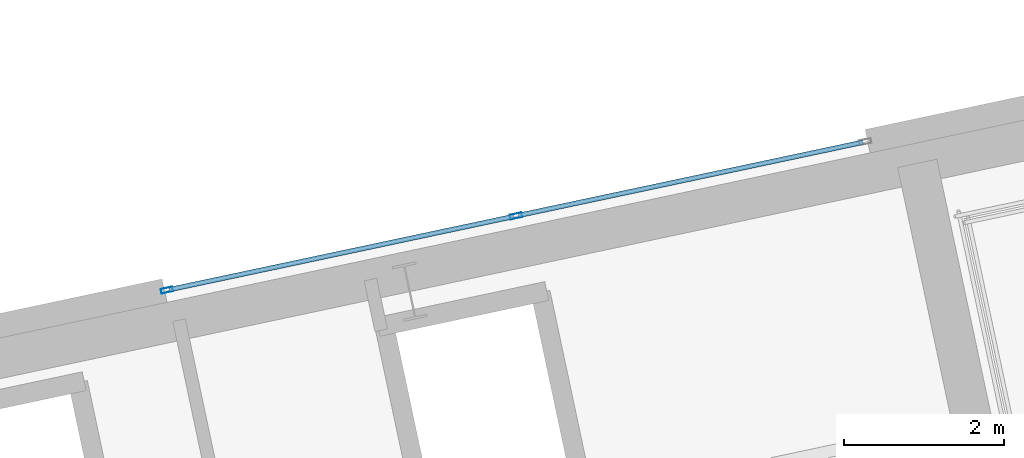
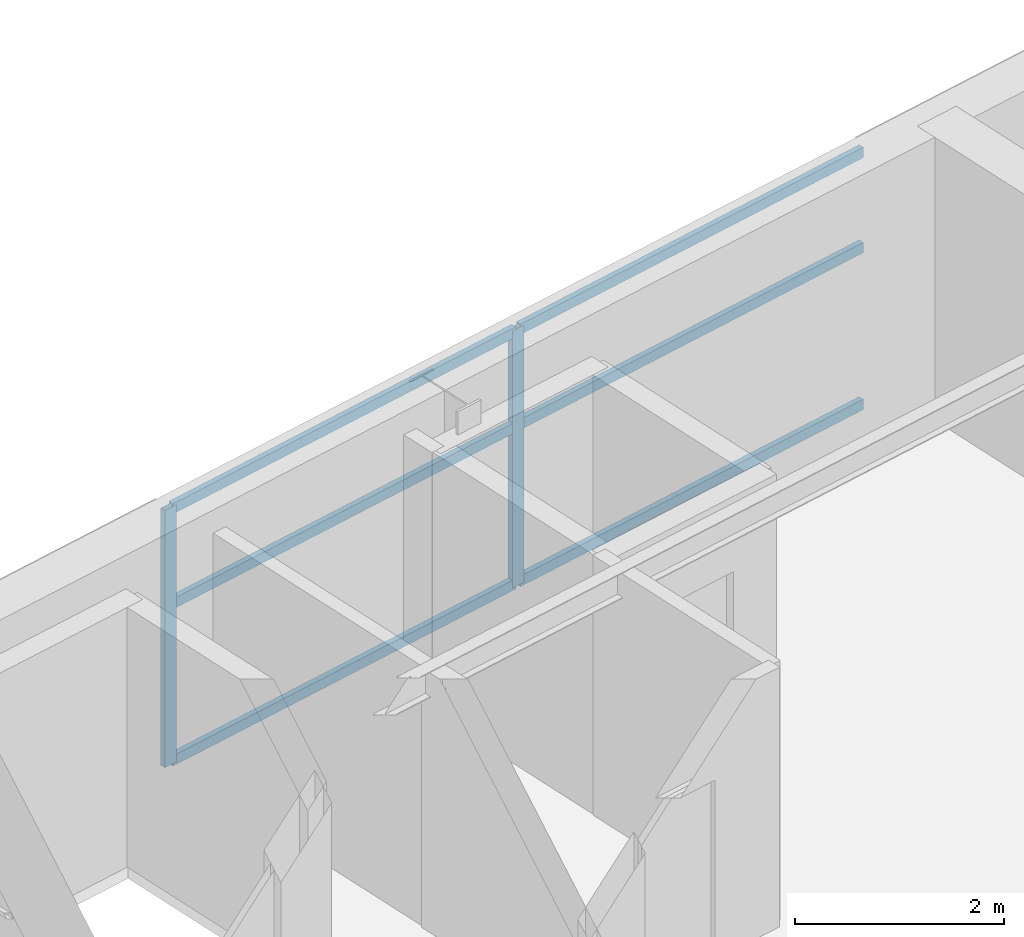
# One storey, part 5 of 19: 8 members, 1 element without a shape of its own.
"""IFC4 building model written with IfcOpenShell, lengths in metres."""

from ifc_helpers import new_model, si_unit, direction, frame, origin, origin_2d, place, context, subcontext, project, spatial, hollow_rectangle, extrude, material, layer, layer_set, material_profile, profile_set, type_object, element, aggregate, save


model = new_model("IFC4")

# Units and contexts
model_context = context("Model", 3, precision=1e-05, world=origin(), true_north=direction((0.0, 1.0)))
body_context = subcontext(model_context, "Body", "Model", "MODEL_VIEW")
ifc_project = project(units=[si_unit("LENGTHUNIT", "METRE"), si_unit("AREAUNIT", "SQUARE_METRE"), si_unit("VOLUMEUNIT", "CUBIC_METRE"), si_unit("PLANEANGLEUNIT", "RADIAN"), si_unit("MASSUNIT", "GRAM", prefix="KILO")], contexts=[model_context])

# Site, building, storey
site_placement = place(None, origin())
site = spatial("IfcSite", under=ifc_project, at=site_placement, CompositionType="ELEMENT")
building_placement = place(site_placement, origin())
building = spatial("IfcBuilding", under=site, at=building_placement, Name="Haevon Station Towers", CompositionType="ELEMENT")
storey_placement = place(building_placement, frame((0.0, 0.0, 156.0)))
storey = spatial("IfcBuildingStorey", under=building, at=storey_placement, Name="L42", CompositionType="ELEMENT", Elevation=156.0)

# Curtain wall, members
ifc_material_1 = material(Name="Anodised aluminium and Low-E double glazing", Category="aluminium")
ifc_layer = layer(ifc_material_1, 0.179931640625)
ifc_layer_set = layer_set([ifc_layer], Name="Anodised aluminium and Low-E double glazing")
curtain_wall_type = type_object("IfcCurtainWallType", Name="CW-SYS5", PredefinedType="NOTDEFINED", material=ifc_layer_set)
curtain_wall_placement = place(storey_placement, origin())
curtain_wall = element("IfcCurtainWall", 1, at=curtain_wall_placement, inside=storey, type_object=curtain_wall_type, Name="L42 Curtain Wall CW-T2-L42-N", PredefinedType="NOTDEFINED")
ifc_material_2 = material(Name="Anodised aluminium 6063-T6", Category="aluminium")
ifc_material_profile_1 = material_profile(ifc_material_2, hollow_rectangle(XDim=0.06005859375, YDim=0.14990234375, WallThickness=0.00341796875, at=origin_2d()), Name="CWM-150x60x3.5")
ifc_profile_set_1 = profile_set([ifc_material_profile_1], Name="Anodised aluminium 6063-T6")
member_type_1 = type_object("IfcMemberType", Name="CWM-150", PredefinedType="MULLION", material=ifc_profile_set_1)
member_1_placement = place(storey_placement, frame((104.03857421875, 48.78955078125, 0.0), z_axis=(0.0, 0.0, 1.0), x_axis=(-0.207911783211, 0.978147581095, 0.0)))
member_1 = element("IfcMember", 2, at=member_1_placement, type_object=member_type_1, Name="CW-SYS5 mullion 1", PredefinedType="MULLION", context=body_context, shape_type="SweptSolid", body=[
    extrude(hollow_rectangle(XDim=0.06005859375, YDim=0.14990234375, WallThickness=0.00341796875, at=origin_2d()), origin(), (0.0, 0.0, 1.0), 3.0),
])
member_2_placement = place(storey_placement, frame((108.410888671875, 49.71875, 0.0), z_axis=(0.0, 0.0, 1.0), x_axis=(-0.207911783211, 0.978147581095, 0.0)))
member_2 = element("IfcMember", 3, at=member_2_placement, type_object=member_type_1, Name="CW-SYS5 mullion 2", PredefinedType="MULLION", context=body_context, shape_type="SweptSolid", body=[
    extrude(hollow_rectangle(XDim=0.06005859375, YDim=0.14990234375, WallThickness=0.00341796875, at=origin_2d()), origin(), (0.0, 0.0, 1.0), 3.0),
])
ifc_material_profile_2 = material_profile(ifc_material_2, hollow_rectangle(XDim=0.06005859375, YDim=0.1201171875, WallThickness=0.0029296875, at=origin_2d()), Name="CWT-120x60x3")
ifc_profile_set_2 = profile_set([ifc_material_profile_2], Name="Anodised aluminium 6063-T6")
member_type_2 = type_object("IfcMemberType", Name="CWT-120", PredefinedType="USERDEFINED", material=ifc_profile_set_2)
member_3_placement = place(storey_placement, frame((104.068115234375, 48.795654296875, 0.030029296875), z_axis=(0.978141400356, 0.207940859165, 0.0), x_axis=(-0.207940859165, 0.978141400356, 0.0)))
member_3 = element("IfcMember", 4, at=member_3_placement, type_object=member_type_2, Name="CW-SYS5 transom 1.1", ObjectType="TRANSOM", PredefinedType="USERDEFINED", context=body_context, shape_type="SweptSolid", body=[
    extrude(hollow_rectangle(XDim=0.06005859375, YDim=0.1201171875, WallThickness=0.0029296875, at=origin_2d()), origin(), (0.0, 0.0, 1.0), 4.409912109375),
])
member_4_placement = place(storey_placement, frame((104.068115234375, 48.795654296875, 1.860107421875), z_axis=(0.978141400356, 0.207940859165, 0.0), x_axis=(-0.207940859165, 0.978141400356, 0.0)))
member_4 = element("IfcMember", 5, at=member_4_placement, type_object=member_type_2, Name="CW-SYS5 transom 1.2", ObjectType="TRANSOM", PredefinedType="USERDEFINED", context=body_context, shape_type="SweptSolid", body=[
    extrude(hollow_rectangle(XDim=0.06005859375, YDim=0.1201171875, WallThickness=0.0029296875, at=origin_2d()), origin(), (0.0, 0.0, 1.0), 4.409912109375),
])
member_5_placement = place(storey_placement, frame((104.068115234375, 48.795654296875, 2.969970703125), z_axis=(0.978141400356, 0.207940859165, 0.0), x_axis=(-0.207940859165, 0.978141400356, 0.0)))
member_5 = element("IfcMember", 6, at=member_5_placement, type_object=member_type_2, Name="CW-SYS5 transom 1.3", ObjectType="TRANSOM", PredefinedType="USERDEFINED", context=body_context, shape_type="SweptSolid", body=[
    extrude(hollow_rectangle(XDim=0.06005859375, YDim=0.1201171875, WallThickness=0.0029296875, at=origin_2d()), origin(), (0.0, 0.0, 1.0), 4.409912109375),
])
member_6_placement = place(storey_placement, frame((108.4404296875, 49.72509765625, 0.030029296875), z_axis=(0.9781526595, 0.207887889768, 0.0), x_axis=(-0.207887889768, 0.9781526595, 0.0)))
member_6 = element("IfcMember", 7, at=member_6_placement, type_object=member_type_2, Name="CW-SYS5 transom 2.1", ObjectType="TRANSOM", PredefinedType="USERDEFINED", context=body_context, shape_type="SweptSolid", body=[
    extrude(hollow_rectangle(XDim=0.06005859375, YDim=0.1201171875, WallThickness=0.0029296875, at=origin_2d()), origin(), (0.0, 0.0, 1.0), 4.409912109375),
])
member_7_placement = place(storey_placement, frame((108.4404296875, 49.72509765625, 1.860107421875), z_axis=(0.9781526595, 0.207887889768, 0.0), x_axis=(-0.207887889768, 0.9781526595, 0.0)))
member_7 = element("IfcMember", 8, at=member_7_placement, type_object=member_type_2, Name="CW-SYS5 transom 2.2", ObjectType="TRANSOM", PredefinedType="USERDEFINED", context=body_context, shape_type="SweptSolid", body=[
    extrude(hollow_rectangle(XDim=0.06005859375, YDim=0.1201171875, WallThickness=0.0029296875, at=origin_2d()), origin(), (0.0, 0.0, 1.0), 4.409912109375),
])
member_8_placement = place(storey_placement, frame((108.4404296875, 49.72509765625, 2.969970703125), z_axis=(0.9781526595, 0.207887889768, 0.0), x_axis=(-0.207887889768, 0.9781526595, 0.0)))
member_8 = element("IfcMember", 9, at=member_8_placement, type_object=member_type_2, Name="CW-SYS5 transom 2.3", ObjectType="TRANSOM", PredefinedType="USERDEFINED", context=body_context, shape_type="SweptSolid", body=[
    extrude(hollow_rectangle(XDim=0.06005859375, YDim=0.1201171875, WallThickness=0.0029296875, at=origin_2d()), origin(), (0.0, 0.0, 1.0), 4.409912109375),
])
aggregate(curtain_wall, [member_1, member_2, member_3, member_4, member_5, member_6, member_7, member_8])

save(model, "model.ifc")
